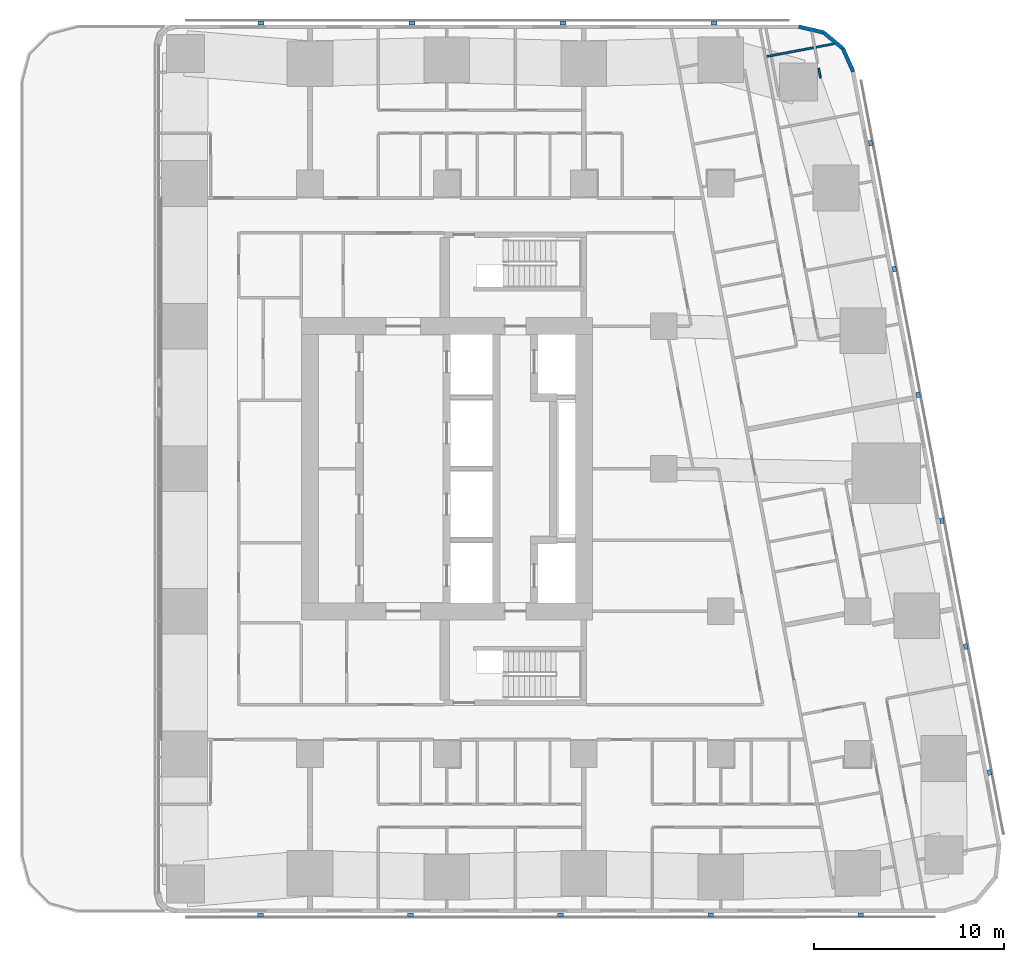
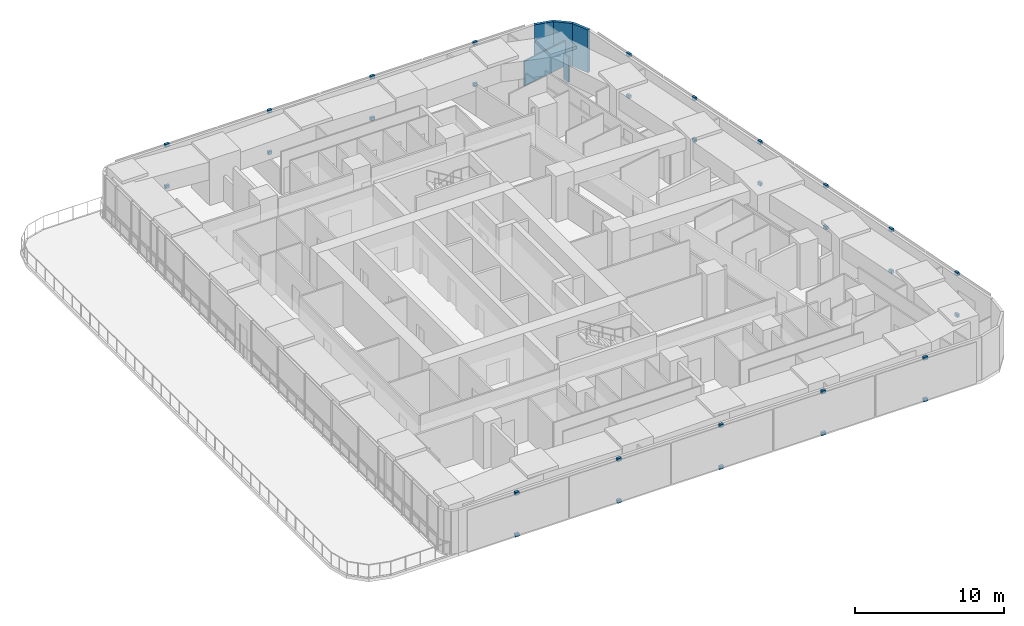
# One storey, part 14 of 17: 30 discrete accessories, 5 walls.
"""IFC4 building model written with IfcOpenShell, lengths in metres."""

from ifc_helpers import new_model, si_unit, direction, frame, frame_2d, origin, origin_2d, place, context, subcontext, project, spatial, rectangle, extrude, material, layer, layer_set, type_object, element, save


model = new_model("IFC4")

# Units and contexts
model_context = context("Model", 3, precision=1e-05, world=origin(), true_north=direction((0.0, 1.0)))
body_context = subcontext(model_context, "Body", "Model", "MODEL_VIEW")
ifc_project = project(units=[si_unit("LENGTHUNIT", "METRE"), si_unit("AREAUNIT", "SQUARE_METRE"), si_unit("VOLUMEUNIT", "CUBIC_METRE"), si_unit("PLANEANGLEUNIT", "RADIAN"), si_unit("MASSUNIT", "GRAM", prefix="KILO")], contexts=[model_context])

# Site, building, storey
site_placement = place(None, origin())
site = spatial("IfcSite", under=ifc_project, at=site_placement, CompositionType="ELEMENT")
building_placement = place(site_placement, origin())
building = spatial("IfcBuilding", under=site, at=building_placement, Name="Sheger Commons Tower", CompositionType="ELEMENT")
storey_placement = place(building_placement, frame((0.0, 0.0, 193.699951171875)))
storey = spatial("IfcBuildingStorey", under=building, at=storey_placement, Name="L49", CompositionType="ELEMENT", Elevation=193.699951171875)

# Walls
ifc_material_1 = material(Name="Rendered concrete block masonry, dark grey", Category="masonry")
ifc_layer_1 = layer(ifc_material_1, 0.199951171875)
ifc_layer_set_1 = layer_set([ifc_layer_1], Name="FACADE WALL 200")
wall_type_1 = type_object("IfcWallType", Name="FACADE WALL 200", PredefinedType="SOLIDWALL", material=ifc_layer_set_1)
wall_1_placement = place(storey_placement, frame((42.969970703125, 43.376953125, 0.0), z_axis=(0.0, 0.0, 1.0), x_axis=(-0.406002956633, 0.913871762998, 0.0)))
element("IfcWall", 1, at=wall_1_placement, inside=storey, type_object=wall_type_1, Name="Facade wall L49", PredefinedType="SOLIDWALL", context=body_context, shape_type="SweptSolid", body=[
    extrude(rectangle(XDim=1.33740234375, YDim=0.199951171875, at=frame_2d((0.668701171875, 0.0))), origin(), (0.0, 0.0, 1.0), 3.5),
])
wall_2_placement = place(storey_placement, frame((42.427001953125, 44.59912109375, 0.0), z_axis=(0.0, 0.0, 1.0), x_axis=(-0.770091412544, 0.637933551655, 0.0)))
element("IfcWall", 2, at=wall_2_placement, inside=storey, type_object=wall_type_1, Name="Facade wall L49", PredefinedType="SOLIDWALL", context=body_context, shape_type="SweptSolid", body=[
    extrude(rectangle(XDim=1.324462890625, YDim=0.199951171875, at=frame_2d((0.662109375, 0.0))), origin(), (0.0, 0.0, 1.0), 3.5),
])
wall_3_placement = place(storey_placement, frame((41.406982421875, 45.444091796875, 0.0), z_axis=(0.0, 0.0, 1.0), x_axis=(-0.973453091607, 0.228886606077, 0.0)))
element("IfcWall", 3, at=wall_3_placement, inside=storey, type_object=wall_type_1, Name="Facade wall L49", PredefinedType="SOLIDWALL", context=body_context, shape_type="SweptSolid", body=[
    extrude(rectangle(XDim=1.33642578125, YDim=0.199951171875, at=frame_2d((0.668212890625, 0.0))), origin(), (0.0, 0.0, 1.0), 3.5),
])
ifc_material_2 = material(Name="Gypsum board on steel studs", Category="steel")
ifc_layer_2 = layer(ifc_material_2, 0.10009765625)
ifc_layer_set_2 = layer_set([ifc_layer_2], Name="PARTITION 100")
wall_type_2 = type_object("IfcWallType", Name="PARTITION 100", PredefinedType="PARTITIONING", material=ifc_layer_set_2)
wall_4_placement = place(storey_placement, frame((41.15087890625, 43.569091796875, 0.0), z_axis=(0.0, 0.0, 1.0), x_axis=(0.186563073924, -0.982442985342, 0.0)))
element("IfcWall", 4, at=wall_4_placement, inside=storey, type_object=wall_type_2, Name="Partition L49", PredefinedType="PARTITIONING", context=body_context, shape_type="SweptSolid", body=[
    extrude(rectangle(XDim=0.53125, YDim=0.10009765625, at=frame_2d((0.265625, 0.0))), origin(), (0.0, 0.0, 1.0), 2.050048828125),
])
wall_5_placement = place(storey_placement, frame((41.968017578125, 44.85009765625, 0.0), z_axis=(0.0, 0.0, 1.0), x_axis=(-0.98258614234, -0.185807623311, 0.0)))
element("IfcWall", 5, at=wall_5_placement, inside=storey, type_object=wall_type_2, Name="Partition L49", PredefinedType="PARTITIONING", context=body_context, shape_type="SweptSolid", body=[
    extrude(rectangle(XDim=3.638427734375, YDim=0.10009765625, at=frame_2d((1.8193359375, 0.0))), origin(), (0.0, 0.0, 1.0), 2.050048828125),
])

# Discrete accessories
ifc_material_3 = material(Name="Black painted steel bracket", Category="steel")
discrete_accessory_type = type_object("IfcDiscreteAccessoryType", Name="SCREEN BRACKET 300x200x250", PredefinedType="BRACKET", material=ifc_material_3)
for number, where, z_axis, x_axis, name in (
    (6, (11.7958984375, -0.949951171875, -0.099853515625), (0.0, 0.0, 1.0), (1.0, 0.0, 0.0), "Solar screen foot bracket"),
    (7, (11.7958984375, -0.949951171875, 3.300048828125), (0.0, 0.0, 1.0), (1.0, 0.0, 0.0), "Solar screen head bracket"),
    (8, (19.68701171875, -0.949951171875, -0.099853515625), (0.0, 0.0, 1.0), (1.0, 0.0, 0.0), "Solar screen foot bracket"),
    (9, (19.68701171875, -0.949951171875, 3.300048828125), (0.0, 0.0, 1.0), (1.0, 0.0, 0.0), "Solar screen head bracket"),
    (10, (27.577880859375, -0.949951171875, -0.099853515625), (0.0, 0.0, 1.0), (1.0, 0.0, 0.0), "Solar screen foot bracket"),
    (11, (27.577880859375, -0.949951171875, 3.300048828125), (0.0, 0.0, 1.0), (1.0, 0.0, 0.0), "Solar screen head bracket"),
    (12, (35.468994140625, -0.949951171875, -0.099853515625), (0.0, 0.0, 1.0), (1.0, 0.0, 0.0), "Solar screen foot bracket"),
    (13, (35.468994140625, -0.949951171875, 3.300048828125), (0.0, 0.0, 1.0), (1.0, 0.0, 0.0), "Solar screen head bracket"),
    (14, (43.360107421875, -0.949951171875, -0.099853515625), (0.0, 0.0, 1.0), (1.0, 0.0, 0.0), "Solar screen foot bracket"),
    (15, (43.360107421875, -0.949951171875, 3.300048828125), (0.0, 0.0, 1.0), (1.0, 0.0, 0.0), "Solar screen head bracket"),
    (16, (50.134033203125, 6.527099609375, -0.099853515625), (0.0, 0.0, 1.0), (-0.185615165645, 0.982622516678, 0.0), "Solar screen foot bracket"),
    (17, (50.134033203125, 6.527099609375, 3.300048828125), (0.0, 0.0, 1.0), (-0.185615165645, 0.982622516678, 0.0), "Solar screen head bracket"),
    (18, (48.884033203125, 13.14599609375, -0.099853515625), (0.0, 0.0, 1.0), (-0.185615165645, 0.982622516678, 0.0), "Solar screen foot bracket"),
    (19, (48.884033203125, 13.14599609375, 3.300048828125), (0.0, 0.0, 1.0), (-0.185615165645, 0.982622516678, 0.0), "Solar screen head bracket"),
    (20, (47.633056640625, 19.76611328125, -0.099853515625), (0.0, 0.0, 1.0), (-0.185615165645, 0.982622516678, 0.0), "Solar screen foot bracket"),
    (21, (47.633056640625, 19.76611328125, 3.300048828125), (0.0, 0.0, 1.0), (-0.185615165645, 0.982622516678, 0.0), "Solar screen head bracket"),
    (22, (46.383056640625, 26.385009765625, -0.099853515625), (0.0, 0.0, 1.0), (-0.185615165645, 0.982622516678, 0.0), "Solar screen foot bracket"),
    (23, (46.383056640625, 26.385009765625, 3.300048828125), (0.0, 0.0, 1.0), (-0.185615165645, 0.982622516678, 0.0), "Solar screen head bracket"),
    (24, (45.133056640625, 33.0048828125, -0.099853515625), (0.0, 0.0, 1.0), (-0.185615165645, 0.982622516678, 0.0), "Solar screen foot bracket"),
    (25, (45.133056640625, 33.0048828125, 3.300048828125), (0.0, 0.0, 1.0), (-0.185615165645, 0.982622516678, 0.0), "Solar screen head bracket"),
    (26, (43.882080078125, 39.6240234375, -0.099853515625), (0.0, 0.0, 1.0), (-0.185615165645, 0.982622516678, 0.0), "Solar screen foot bracket"),
    (27, (43.882080078125, 39.6240234375, 3.300048828125), (0.0, 0.0, 1.0), (-0.185615165645, 0.982622516678, 0.0), "Solar screen head bracket"),
    (28, (35.64697265625, 45.949951171875, -0.099853515625), (0.0, 0.0, 1.0), (-1.0, 0.0, 0.0), "Solar screen foot bracket"),
    (29, (35.64697265625, 45.949951171875, 3.300048828125), (0.0, 0.0, 1.0), (-1.0, 0.0, 0.0), "Solar screen head bracket"),
    (30, (27.705078125, 45.949951171875, -0.099853515625), (0.0, 0.0, 1.0), (-1.0, 0.0, 0.0), "Solar screen foot bracket"),
    (31, (27.705078125, 45.949951171875, 3.300048828125), (0.0, 0.0, 1.0), (-1.0, 0.0, 0.0), "Solar screen head bracket"),
    (32, (19.762939453125, 45.949951171875, -0.099853515625), (0.0, 0.0, 1.0), (-1.0, 0.0, 0.0), "Solar screen foot bracket"),
    (33, (19.762939453125, 45.949951171875, 3.300048828125), (0.0, 0.0, 1.0), (-1.0, 0.0, 0.0), "Solar screen head bracket"),
    (34, (11.821044921875, 45.949951171875, -0.099853515625), (0.0, 0.0, 1.0), (-1.0, 0.0, 0.0), "Solar screen foot bracket"),
    (35, (11.821044921875, 45.949951171875, 3.300048828125), (0.0, 0.0, 1.0), (-1.0, 0.0, 0.0), "Solar screen head bracket"),
):
    element("IfcDiscreteAccessory", number, at=place(storey_placement, frame(where, z_axis=z_axis, x_axis=x_axis)), inside=storey, type_object=discrete_accessory_type, Name=name, PredefinedType="BRACKET", context=body_context, shape_type="SweptSolid", body=[
        extrude(rectangle(XDim=0.300048828125, YDim=0.199951171875, at=origin_2d()), origin(), (0.0, 0.0, 1.0), 0.25),
    ])

save(model, "model.ifc")
